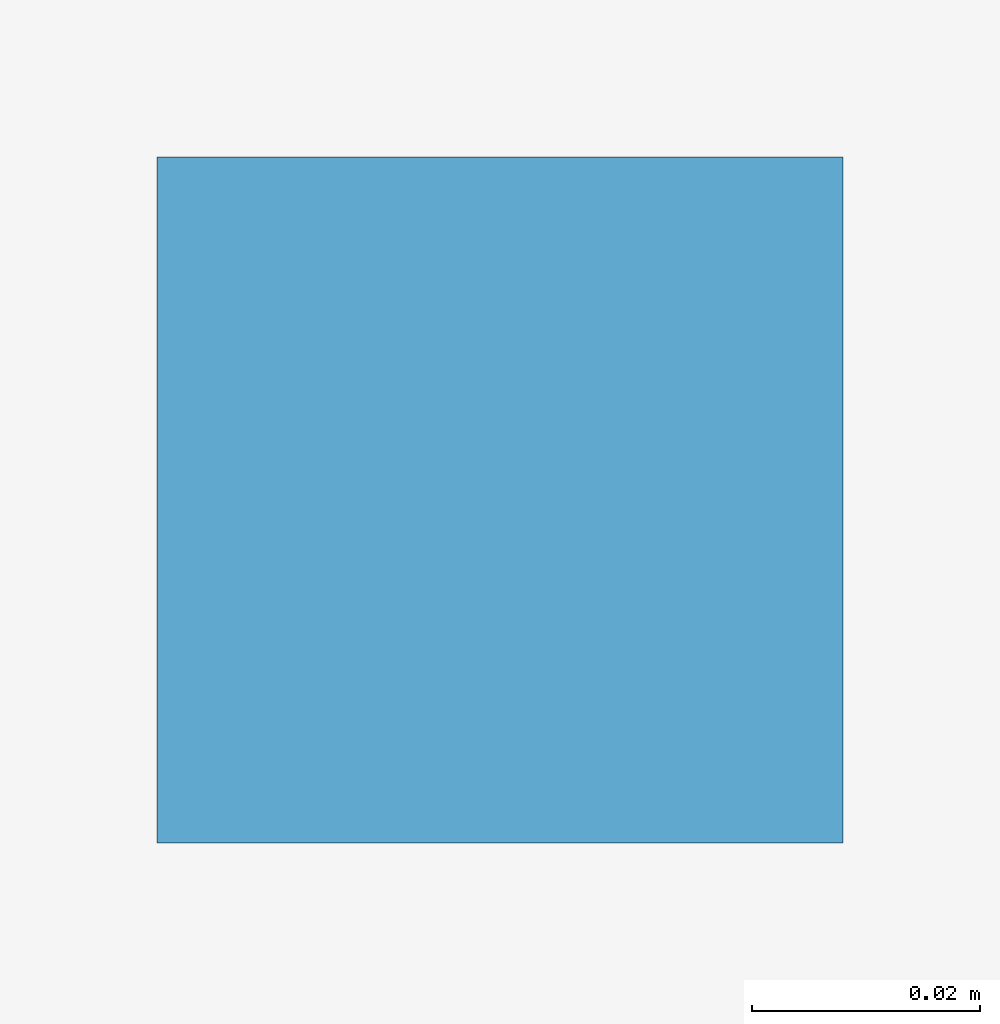
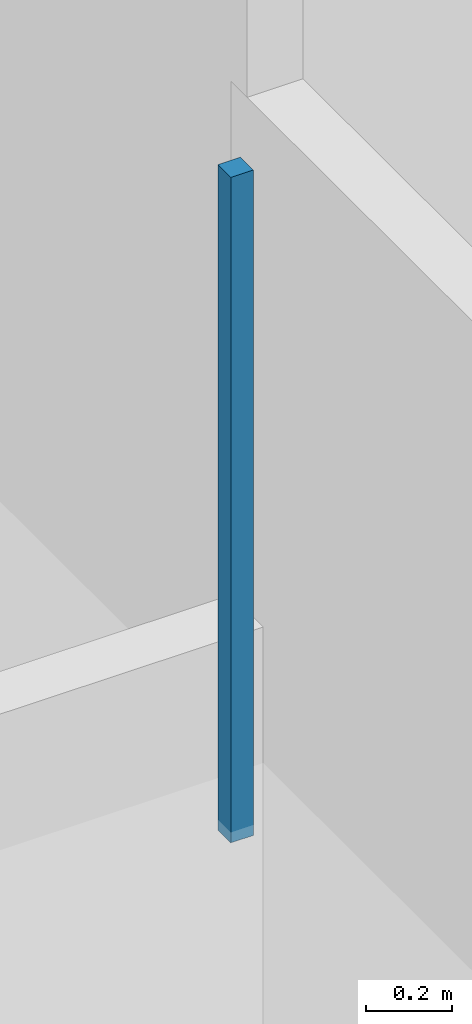
# One storey, part 67 of 93: 1 discrete accessory.
"""IFC4 building model written with IfcOpenShell, lengths in metres."""

from ifc_helpers import new_model, si_unit, direction, frame, origin, place, context, subcontext, project, spatial, polyline, outline, extrude, material, type_object, element, save


model = new_model("IFC4")

# Units and contexts
model_context = context("Model", 3, precision=1e-05, world=origin(), true_north=direction((0.0, 1.0)))
body_context = subcontext(model_context, "Body", "Model", "MODEL_VIEW")
ifc_project = project(units=[si_unit("LENGTHUNIT", "METRE"), si_unit("AREAUNIT", "SQUARE_METRE"), si_unit("VOLUMEUNIT", "CUBIC_METRE"), si_unit("PLANEANGLEUNIT", "RADIAN"), si_unit("MASSUNIT", "GRAM", prefix="KILO")], contexts=[model_context])

# Site, building, storey
site_placement = place(None, origin())
site = spatial("IfcSite", under=ifc_project, at=site_placement, CompositionType="ELEMENT")
building_placement = place(site_placement, origin())
building = spatial("IfcBuilding", under=site, at=building_placement, Name="Dunescarp Central Library", CompositionType="ELEMENT")
storey_placement = place(building_placement, frame((0.0, 0.0, 14.10009765625)))
storey = spatial("IfcBuildingStorey", under=building, at=storey_placement, Name="L03", CompositionType="ELEMENT", Elevation=14.10009765625)

# Discrete accessory
ifc_material = material(Name="Stainless steel Grade 316L", Category="steel")
discrete_accessory_type = type_object("IfcDiscreteAccessoryType", Name="ARC-ACC-BRK", PredefinedType="BRACKET", material=ifc_material)
discrete_accessory_placement = place(storey_placement, frame((0.0, 0.0, 3.059814453125)))
element("IfcDiscreteAccessory", 1, at=discrete_accessory_placement, inside=storey, type_object=discrete_accessory_type, Name="L03 ceiling hanger CLG-L03-135-H2", PredefinedType="BRACKET", context=body_context, shape_type="SweptSolid", body=[
    extrude(outline(polyline([(22.52001953125, 56.97998046875), (22.580078125, 56.97998046875), (22.580078125, 57.0400390625), (22.52001953125, 57.0400390625), (22.52001953125, 56.97998046875)])), origin(), (0.0, 0.0, 1.0), 1.884033203125),
])

save(model, "model.ifc")
